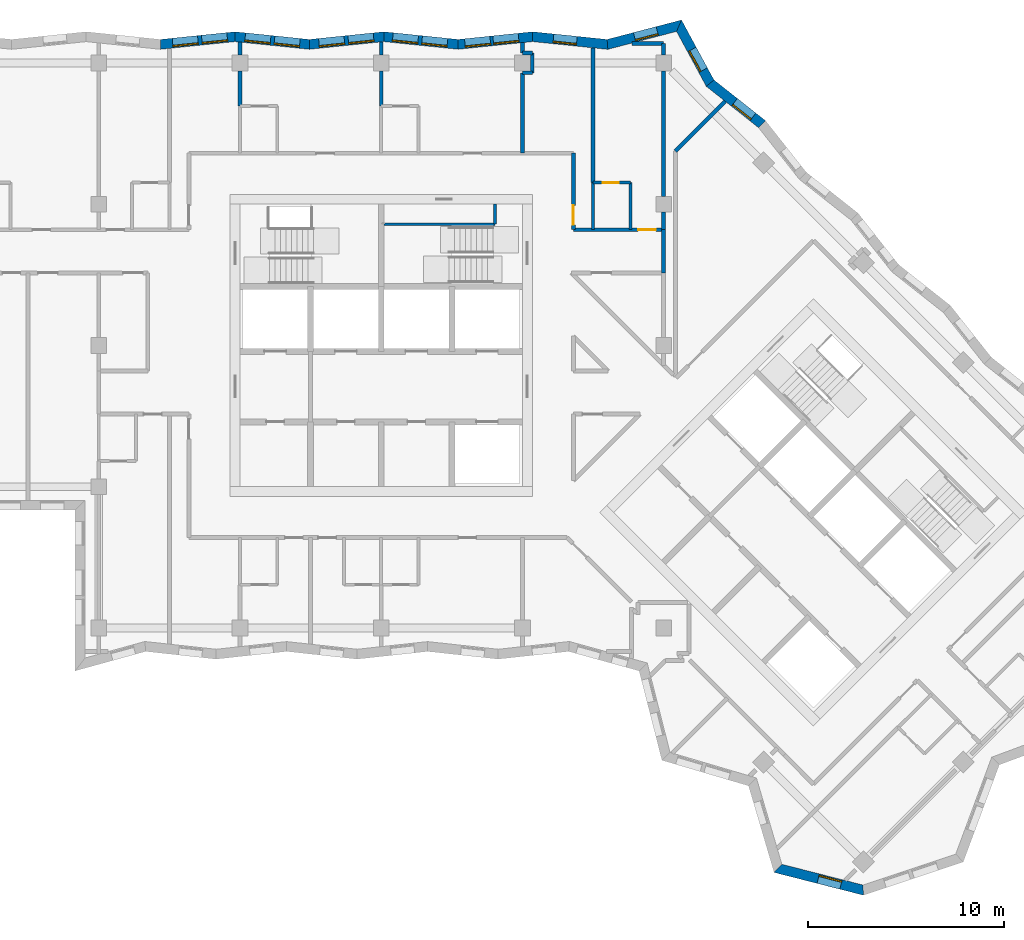
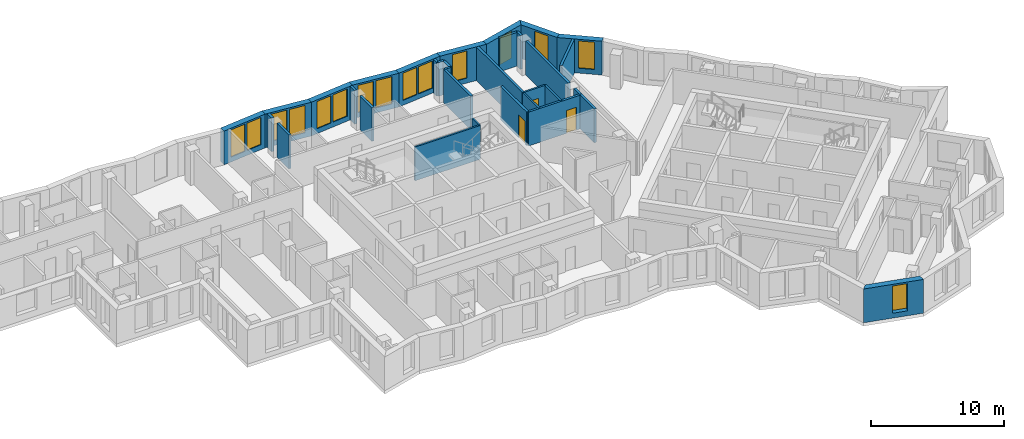
# One storey, part 7 of 12: 33 walls, 15 windows, 3 doors, 18 openings.
"""IFC4 building model written with IfcOpenShell, lengths in metres."""

from ifc_helpers import new_model, si_unit, direction, frame, frame_2d, origin, place, context, subcontext, project, spatial, polyline, rectangle, outline, extrude, material, layer, layer_set, type_object, element, fill, save


model = new_model("IFC4")

# Units and contexts
model_context = context("Model", 3, precision=1e-05, world=origin(), true_north=direction((0.0, 1.0)))
body_context = subcontext(model_context, "Body", "Model", "MODEL_VIEW")
ifc_project = project(units=[si_unit("LENGTHUNIT", "METRE"), si_unit("AREAUNIT", "SQUARE_METRE"), si_unit("VOLUMEUNIT", "CUBIC_METRE"), si_unit("PLANEANGLEUNIT", "RADIAN"), si_unit("MASSUNIT", "GRAM", prefix="KILO")], contexts=[model_context])

# Site, building, storey
site_placement = place(None, origin())
site = spatial("IfcSite", under=ifc_project, at=site_placement, CompositionType="ELEMENT")
building_placement = place(site_placement, origin())
building = spatial("IfcBuilding", under=site, at=building_placement, Name="Windrow Commons", CompositionType="ELEMENT")
storey_placement = place(building_placement, frame((0.0, 0.0, 199.8)))
storey = spatial("IfcBuildingStorey", under=building, at=storey_placement, Name="L54", CompositionType="ELEMENT", Elevation=199.8)

# Wall, opening, window
ifc_material_1 = material(Name="Brick masonry, red clay brick", Category="masonry")
ifc_layer_1 = layer(ifc_material_1, 0.5)
ifc_layer_set_1 = layer_set([ifc_layer_1], Name="Brick facade wall 500")
wall_type_1 = type_object("IfcWallType", Name="Brick facade wall 500", PredefinedType="SOLIDWALL", material=ifc_layer_set_1)
wall_1_placement = place(storey_placement, frame((84.2157, 68.8784, 0.0), z_axis=(0.0, 0.0, 1.0), x_axis=(-0.7847265348, 0.6198421296, 0.0)))
wall_1 = element("IfcWall", 1, at=wall_1_placement, inside=storey, type_object=wall_type_1, Name="Brick facade wall L54 15", PredefinedType="SOLIDWALL", context=body_context, shape_type="SweptSolid", body=[
    extrude(outline(polyline([(-0.0293, -0.25), (3.3243, -0.25), (3.4272, 0.25), (0.0293, 0.25), (-0.0293, -0.25)])), origin(), (0.0, 0.0, 1.0), 3.1),
])
opening_1_placement = place(wall_1_placement, frame((0.5991, 0.0, 0.45)))
opening_1 = element("IfcOpeningElement", 2, at=opening_1_placement, cuts=wall_1, Name="Opening W7E", PredefinedType="OPENING", context=body_context, shape_type="SweptSolid", body=[
    extrude(rectangle(XDim=1.2, YDim=2.5, at=frame_2d((0.6, 1.25))), frame((0.0, 0.26, 0.0), z_axis=(0.0, -1.0, 0.0), x_axis=(1.0, 0.0, 0.0)), (0.0, 0.0, 1.0), 0.52),
])
ifc_material_2 = material(Name="Clear float glass in anodised aluminium frame", Category="aluminium")
window_type_1 = type_object("IfcWindowType", Name="Window W7 notch 1200x2500", PartitioningType="SINGLE_PANEL", PredefinedType="WINDOW", material=ifc_material_2)
window_1_placement = place(opening_1_placement, origin())
window_1 = element("IfcWindow", 3, at=window_1_placement, inside=storey, type_object=window_type_1, Name="Window L54 15.1", OverallHeight=2.5, OverallWidth=1.2, PartitioningType="SINGLE_PANEL", PredefinedType="WINDOW", context=body_context, shape_type="SweptSolid", body=[
    extrude(rectangle(XDim=1.2, YDim=2.5, at=frame_2d((0.6, 1.25))), frame((0.0, 0.18, 0.0), z_axis=(0.0, -1.0, 0.0), x_axis=(1.0, 0.0, 0.0)), (0.0, 0.0, 1.0), 0.06),
])
fill(opening_1, window_1)

wall_2_placement = place(storey_placement, frame((81.5667, 70.9708, 0.0), z_axis=(0.0, 0.0, 1.0), x_axis=(-0.476089682, 0.8793967334, 0.0)))
wall_2 = element("IfcWall", 4, at=wall_2_placement, inside=storey, type_object=wall_type_1, Name="Brick facade wall L54 16", PredefinedType="SOLIDWALL", context=body_context, shape_type="SweptSolid", body=[
    extrude(outline(polyline([(0.0515, -0.25), (3.5265, -0.25), (3.1344, 0.25), (-0.0515, 0.25), (0.0515, -0.25)])), origin(), (0.0, 0.0, 1.0), 3.1),
])
opening_2_placement = place(wall_2_placement, frame((0.7527, 0.0, 0.45)))
opening_2 = element("IfcOpeningElement", 5, at=opening_2_placement, cuts=wall_2, Name="Opening W7E", PredefinedType="OPENING", context=body_context, shape_type="SweptSolid", body=[
    extrude(rectangle(XDim=1.2, YDim=2.5, at=frame_2d((0.6, 1.25))), frame((0.0, 0.26, 0.0), z_axis=(0.0, -1.0, 0.0), x_axis=(1.0, 0.0, 0.0)), (0.0, 0.0, 1.0), 0.52),
])
window_2_placement = place(opening_2_placement, origin())
window_2 = element("IfcWindow", 6, at=window_2_placement, inside=storey, type_object=window_type_1, Name="Window L54 16.1", OverallHeight=2.5, OverallWidth=1.2, PartitioningType="SINGLE_PANEL", PredefinedType="WINDOW", context=body_context, shape_type="SweptSolid", body=[
    extrude(rectangle(XDim=1.2, YDim=2.5, at=frame_2d((0.6, 1.25))), frame((0.0, 0.18, 0.0), z_axis=(0.0, -1.0, 0.0), x_axis=(1.0, 0.0, 0.0)), (0.0, 0.0, 1.0), 0.06),
])
fill(opening_2, window_2)

wall_3_placement = place(storey_placement, frame((79.9811, 73.8996, 0.0), z_axis=(0.0, 0.0, 1.0), x_axis=(-0.9675329998, -0.2527447216, 0.0)))
wall_3 = element("IfcWall", 7, at=wall_3_placement, inside=storey, type_object=wall_type_1, Name="Brick facade wall L54 17", PredefinedType="SOLIDWALL", context=body_context, shape_type="SweptSolid", body=[
    extrude(outline(polyline([(-0.1961, -0.25), (3.7249, -0.25), (3.8154, 0.25), (0.1961, 0.25), (-0.1961, -0.25)])), origin(), (0.0, 0.0, 1.0), 3.1),
])
opening_3_placement = place(wall_3_placement, frame((1.1387, 0.0, 0.45)))
opening_3 = element("IfcOpeningElement", 8, at=opening_3_placement, cuts=wall_3, Name="Opening W7E", PredefinedType="OPENING", context=body_context, shape_type="SweptSolid", body=[
    extrude(rectangle(XDim=1.2, YDim=2.5, at=frame_2d((0.6, 1.25))), frame((0.0, 0.26, 0.0), z_axis=(0.0, -1.0, 0.0), x_axis=(1.0, 0.0, 0.0)), (0.0, 0.0, 1.0), 0.52),
])
window_3_placement = place(opening_3_placement, origin())
window_3 = element("IfcWindow", 9, at=window_3_placement, inside=storey, type_object=window_type_1, Name="Window L54 17.1", OverallHeight=2.5, OverallWidth=1.2, PartitioningType="SINGLE_PANEL", PredefinedType="WINDOW", context=body_context, shape_type="SweptSolid", body=[
    extrude(rectangle(XDim=1.2, YDim=2.5, at=frame_2d((0.6, 1.25))), frame((0.0, 0.18, 0.0), z_axis=(0.0, -1.0, 0.0), x_axis=(1.0, 0.0, 0.0)), (0.0, 0.0, 1.0), 0.06),
])
fill(opening_3, window_3)

wall_4_placement = place(storey_placement, frame((76.3333, 72.9467, 0.0), z_axis=(0.0, 0.0, 1.0), x_axis=(-0.994730395, 0.10252532, 0.0)))
wall_4 = element("IfcWall", 10, at=wall_4_placement, inside=storey, type_object=wall_type_1, Name="Brick facade wall L54 18", PredefinedType="SOLIDWALL", context=body_context, shape_type="SweptSolid", body=[
    extrude(outline(polyline([(0.0453, -0.25), (3.859, -0.25), (3.8075, 0.25), (-0.0453, 0.25), (0.0453, -0.25)])), origin(), (0.0, 0.0, 1.0), 3.1),
])
opening_4_placement = place(wall_4_placement, frame((1.5723, 0.0, 0.45)))
opening_4 = element("IfcOpeningElement", 11, at=opening_4_placement, cuts=wall_4, Name="Opening W7E", PredefinedType="OPENING", context=body_context, shape_type="SweptSolid", body=[
    extrude(rectangle(XDim=1.2, YDim=2.5, at=frame_2d((0.6, 1.25))), frame((0.0, 0.26, 0.0), z_axis=(0.0, -1.0, 0.0), x_axis=(1.0, 0.0, 0.0)), (0.0, 0.0, 1.0), 0.52),
])
window_4_placement = place(opening_4_placement, origin())
window_4 = element("IfcWindow", 12, at=window_4_placement, inside=storey, type_object=window_type_1, Name="Window L54 18.1", OverallHeight=2.5, OverallWidth=1.2, PartitioningType="SINGLE_PANEL", PredefinedType="WINDOW", context=body_context, shape_type="SweptSolid", body=[
    extrude(rectangle(XDim=1.2, YDim=2.5, at=frame_2d((0.6, 1.25))), frame((0.0, 0.18, 0.0), z_axis=(0.0, -1.0, 0.0), x_axis=(1.0, 0.0, 0.0)), (0.0, 0.0, 1.0), 0.06),
])
fill(opening_4, window_4)

# Wall, openings, windows
wall_5_placement = place(storey_placement, frame((72.5203, 73.3397, 0.0), z_axis=(0.0, 0.0, 1.0), x_axis=(-0.9947306832, -0.1025225234, 0.0)))
wall_5 = element("IfcWall", 13, at=wall_5_placement, inside=storey, type_object=wall_type_1, Name="Brick facade wall L54 19", PredefinedType="SOLIDWALL", context=body_context, shape_type="SweptSolid", body=[
    extrude(outline(polyline([(-0.0258, -0.25), (3.788, -0.25), (3.8395, 0.25), (0.0258, 0.25), (-0.0258, -0.25)])), origin(), (0.0, 0.0, 1.0), 3.1),
])
opening_5_placement = place(wall_5_placement, frame((0.7184, 0.0, 0.45)))
opening_5 = element("IfcOpeningElement", 14, at=opening_5_placement, cuts=wall_5, Name="Opening W1Q", PredefinedType="OPENING", context=body_context, shape_type="SweptSolid", body=[
    extrude(rectangle(XDim=1.3, YDim=2.5, at=frame_2d((0.65, 1.25))), frame((0.0, 0.26, 0.0), z_axis=(0.0, -1.0, 0.0), x_axis=(1.0, 0.0, 0.0)), (0.0, 0.0, 1.0), 0.52),
])
opening_6_placement = place(wall_5_placement, frame((2.1684, 0.0, 0.45)))
opening_6 = element("IfcOpeningElement", 15, at=opening_6_placement, cuts=wall_5, Name="Opening W1Q", PredefinedType="OPENING", context=body_context, shape_type="SweptSolid", body=[
    extrude(rectangle(XDim=1.3, YDim=2.5, at=frame_2d((0.65, 1.25))), frame((0.0, 0.26, 0.0), z_axis=(0.0, -1.0, 0.0), x_axis=(1.0, 0.0, 0.0)), (0.0, 0.0, 1.0), 0.52),
])
ifc_material_3 = material(Name="Clear float glass in anodised aluminium frame", Category="aluminium")
window_type_2 = type_object("IfcWindowType", Name="Window W1Q pair 1300x2500", PartitioningType="SINGLE_PANEL", PredefinedType="WINDOW", material=ifc_material_3)
window_5_placement = place(opening_5_placement, origin())
window_5 = element("IfcWindow", 16, at=window_5_placement, inside=storey, type_object=window_type_2, Name="Window L54 19.1A", OverallHeight=2.5, OverallWidth=1.3, PartitioningType="SINGLE_PANEL", PredefinedType="WINDOW", context=body_context, shape_type="SweptSolid", body=[
    extrude(rectangle(XDim=1.3, YDim=2.5, at=frame_2d((0.65, 1.25))), frame((0.0, 0.18, 0.0), z_axis=(0.0, -1.0, 0.0), x_axis=(1.0, 0.0, 0.0)), (0.0, 0.0, 1.0), 0.06),
])
fill(opening_5, window_5)
window_6_placement = place(opening_6_placement, origin())
window_6 = element("IfcWindow", 17, at=window_6_placement, inside=storey, type_object=window_type_2, Name="Window L54 19.1B", OverallHeight=2.5, OverallWidth=1.3, PartitioningType="SINGLE_PANEL", PredefinedType="WINDOW", context=body_context, shape_type="SweptSolid", body=[
    extrude(rectangle(XDim=1.3, YDim=2.5, at=frame_2d((0.65, 1.25))), frame((0.0, 0.18, 0.0), z_axis=(0.0, -1.0, 0.0), x_axis=(1.0, 0.0, 0.0)), (0.0, 0.0, 1.0), 0.06),
])
fill(opening_6, window_6)

wall_6_placement = place(storey_placement, frame((68.7266, 72.9487, 0.0), z_axis=(0.0, 0.0, 1.0), x_axis=(-0.9947306832, 0.1025225234, 0.0)))
wall_6 = element("IfcWall", 18, at=wall_6_placement, inside=storey, type_object=wall_type_1, Name="Brick facade wall L54 20", PredefinedType="SOLIDWALL", context=body_context, shape_type="SweptSolid", body=[
    extrude(outline(polyline([(0.0258, -0.25), (3.8395, -0.25), (3.788, 0.25), (-0.0258, 0.25), (0.0258, -0.25)])), origin(), (0.0, 0.0, 1.0), 3.1),
])
opening_7_placement = place(wall_6_placement, frame((0.5582, 0.0, 0.45)))
opening_7 = element("IfcOpeningElement", 19, at=opening_7_placement, cuts=wall_6, Name="Opening W1Q", PredefinedType="OPENING", context=body_context, shape_type="SweptSolid", body=[
    extrude(rectangle(XDim=1.3, YDim=2.5, at=frame_2d((0.65, 1.25))), frame((0.0, 0.26, 0.0), z_axis=(0.0, -1.0, 0.0), x_axis=(1.0, 0.0, 0.0)), (0.0, 0.0, 1.0), 0.52),
])
opening_8_placement = place(wall_6_placement, frame((2.0582, 0.0, 0.45)))
opening_8 = element("IfcOpeningElement", 20, at=opening_8_placement, cuts=wall_6, Name="Opening W1Q", PredefinedType="OPENING", context=body_context, shape_type="SweptSolid", body=[
    extrude(rectangle(XDim=1.3, YDim=2.5, at=frame_2d((0.65, 1.25))), frame((0.0, 0.26, 0.0), z_axis=(0.0, -1.0, 0.0), x_axis=(1.0, 0.0, 0.0)), (0.0, 0.0, 1.0), 0.52),
])
window_7_placement = place(opening_7_placement, origin())
window_7 = element("IfcWindow", 21, at=window_7_placement, inside=storey, type_object=window_type_2, Name="Window L54 20.1A", OverallHeight=2.5, OverallWidth=1.3, PartitioningType="SINGLE_PANEL", PredefinedType="WINDOW", context=body_context, shape_type="SweptSolid", body=[
    extrude(rectangle(XDim=1.3, YDim=2.5, at=frame_2d((0.65, 1.25))), frame((0.0, 0.18, 0.0), z_axis=(0.0, -1.0, 0.0), x_axis=(1.0, 0.0, 0.0)), (0.0, 0.0, 1.0), 0.06),
])
fill(opening_7, window_7)
window_8_placement = place(opening_8_placement, origin())
window_8 = element("IfcWindow", 22, at=window_8_placement, inside=storey, type_object=window_type_2, Name="Window L54 20.1B", OverallHeight=2.5, OverallWidth=1.3, PartitioningType="SINGLE_PANEL", PredefinedType="WINDOW", context=body_context, shape_type="SweptSolid", body=[
    extrude(rectangle(XDim=1.3, YDim=2.5, at=frame_2d((0.65, 1.25))), frame((0.0, 0.18, 0.0), z_axis=(0.0, -1.0, 0.0), x_axis=(1.0, 0.0, 0.0)), (0.0, 0.0, 1.0), 0.06),
])
fill(opening_8, window_8)

wall_7_placement = place(storey_placement, frame((64.9329, 73.3397, 0.0), z_axis=(0.0, 0.0, 1.0), x_axis=(-0.9947304076, -0.1025251975, 0.0)))
wall_7 = element("IfcWall", 23, at=wall_7_placement, inside=storey, type_object=wall_type_1, Name="Brick facade wall L54 21", PredefinedType="SOLIDWALL", context=body_context, shape_type="SweptSolid", body=[
    extrude(outline(polyline([(-0.0258, -0.25), (3.788, -0.25), (3.8395, 0.25), (0.0258, 0.25), (-0.0258, -0.25)])), origin(), (0.0, 0.0, 1.0), 3.1),
])
opening_9_placement = place(wall_7_placement, frame((0.5198, 0.0, 0.45)))
opening_9 = element("IfcOpeningElement", 24, at=opening_9_placement, cuts=wall_7, Name="Opening W1Q", PredefinedType="OPENING", context=body_context, shape_type="SweptSolid", body=[
    extrude(rectangle(XDim=1.3, YDim=2.5, at=frame_2d((0.65, 1.25))), frame((0.0, 0.26, 0.0), z_axis=(0.0, -1.0, 0.0), x_axis=(1.0, 0.0, 0.0)), (0.0, 0.0, 1.0), 0.52),
])
opening_10_placement = place(wall_7_placement, frame((2.0198, 0.0, 0.45)))
opening_10 = element("IfcOpeningElement", 25, at=opening_10_placement, cuts=wall_7, Name="Opening W1Q", PredefinedType="OPENING", context=body_context, shape_type="SweptSolid", body=[
    extrude(rectangle(XDim=1.3, YDim=2.5, at=frame_2d((0.65, 1.25))), frame((0.0, 0.26, 0.0), z_axis=(0.0, -1.0, 0.0), x_axis=(1.0, 0.0, 0.0)), (0.0, 0.0, 1.0), 0.52),
])
window_9_placement = place(opening_9_placement, origin())
window_9 = element("IfcWindow", 26, at=window_9_placement, inside=storey, type_object=window_type_2, Name="Window L54 21.1A", OverallHeight=2.5, OverallWidth=1.3, PartitioningType="SINGLE_PANEL", PredefinedType="WINDOW", context=body_context, shape_type="SweptSolid", body=[
    extrude(rectangle(XDim=1.3, YDim=2.5, at=frame_2d((0.65, 1.25))), frame((0.0, 0.18, 0.0), z_axis=(0.0, -1.0, 0.0), x_axis=(1.0, 0.0, 0.0)), (0.0, 0.0, 1.0), 0.06),
])
fill(opening_9, window_9)
window_10_placement = place(opening_10_placement, origin())
window_10 = element("IfcWindow", 27, at=window_10_placement, inside=storey, type_object=window_type_2, Name="Window L54 21.1B", OverallHeight=2.5, OverallWidth=1.3, PartitioningType="SINGLE_PANEL", PredefinedType="WINDOW", context=body_context, shape_type="SweptSolid", body=[
    extrude(rectangle(XDim=1.3, YDim=2.5, at=frame_2d((0.65, 1.25))), frame((0.0, 0.18, 0.0), z_axis=(0.0, -1.0, 0.0), x_axis=(1.0, 0.0, 0.0)), (0.0, 0.0, 1.0), 0.06),
])
fill(opening_10, window_10)

wall_8_placement = place(storey_placement, frame((61.1393, 72.9487, 0.0), z_axis=(0.0, 0.0, 1.0), x_axis=(-0.9947306832, 0.1025225234, 0.0)))
wall_8 = element("IfcWall", 28, at=wall_8_placement, inside=storey, type_object=wall_type_1, Name="Brick facade wall L54 22", PredefinedType="SOLIDWALL", context=body_context, shape_type="SweptSolid", body=[
    extrude(outline(polyline([(0.0258, -0.25), (3.8395, -0.25), (3.788, 0.25), (-0.0258, 0.25), (0.0258, -0.25)])), origin(), (0.0, 0.0, 1.0), 3.1),
])
opening_11_placement = place(wall_8_placement, frame((0.494, 0.0, 0.45)))
opening_11 = element("IfcOpeningElement", 29, at=opening_11_placement, cuts=wall_8, Name="Opening W1Q", PredefinedType="OPENING", context=body_context, shape_type="SweptSolid", body=[
    extrude(rectangle(XDim=1.3, YDim=2.5, at=frame_2d((0.65, 1.25))), frame((0.0, 0.26, 0.0), z_axis=(0.0, -1.0, 0.0), x_axis=(1.0, 0.0, 0.0)), (0.0, 0.0, 1.0), 0.52),
])
opening_12_placement = place(wall_8_placement, frame((1.994, 0.0, 0.45)))
opening_12 = element("IfcOpeningElement", 30, at=opening_12_placement, cuts=wall_8, Name="Opening W1Q", PredefinedType="OPENING", context=body_context, shape_type="SweptSolid", body=[
    extrude(rectangle(XDim=1.3, YDim=2.5, at=frame_2d((0.65, 1.25))), frame((0.0, 0.26, 0.0), z_axis=(0.0, -1.0, 0.0), x_axis=(1.0, 0.0, 0.0)), (0.0, 0.0, 1.0), 0.52),
])
window_11_placement = place(opening_11_placement, origin())
window_11 = element("IfcWindow", 31, at=window_11_placement, inside=storey, type_object=window_type_2, Name="Window L54 22.1A", OverallHeight=2.5, OverallWidth=1.3, PartitioningType="SINGLE_PANEL", PredefinedType="WINDOW", context=body_context, shape_type="SweptSolid", body=[
    extrude(rectangle(XDim=1.3, YDim=2.5, at=frame_2d((0.65, 1.25))), frame((0.0, 0.18, 0.0), z_axis=(0.0, -1.0, 0.0), x_axis=(1.0, 0.0, 0.0)), (0.0, 0.0, 1.0), 0.06),
])
fill(opening_11, window_11)
window_12_placement = place(opening_12_placement, origin())
window_12 = element("IfcWindow", 32, at=window_12_placement, inside=storey, type_object=window_type_2, Name="Window L54 22.1B", OverallHeight=2.5, OverallWidth=1.3, PartitioningType="SINGLE_PANEL", PredefinedType="WINDOW", context=body_context, shape_type="SweptSolid", body=[
    extrude(rectangle(XDim=1.3, YDim=2.5, at=frame_2d((0.65, 1.25))), frame((0.0, 0.18, 0.0), z_axis=(0.0, -1.0, 0.0), x_axis=(1.0, 0.0, 0.0)), (0.0, 0.0, 1.0), 0.06),
])
fill(opening_12, window_12)

wall_9_placement = place(storey_placement, frame((57.3456, 73.3397, 0.0), z_axis=(0.0, 0.0, 1.0), x_axis=(-0.9947304076, -0.1025251975, 0.0)))
wall_9 = element("IfcWall", 33, at=wall_9_placement, inside=storey, type_object=wall_type_1, Name="Brick facade wall L54 23", PredefinedType="SOLIDWALL", context=body_context, shape_type="SweptSolid", body=[
    extrude(outline(polyline([(-0.0258, -0.25), (3.788, -0.25), (3.8395, 0.25), (0.0258, 0.25), (-0.0258, -0.25)])), origin(), (0.0, 0.0, 1.0), 3.1),
])
opening_13_placement = place(wall_9_placement, frame((0.3946, 0.0, 0.45)))
opening_13 = element("IfcOpeningElement", 34, at=opening_13_placement, cuts=wall_9, Name="Opening W1Q", PredefinedType="OPENING", context=body_context, shape_type="SweptSolid", body=[
    extrude(rectangle(XDim=1.3, YDim=2.5, at=frame_2d((0.65, 1.25))), frame((0.0, 0.26, 0.0), z_axis=(0.0, -1.0, 0.0), x_axis=(1.0, 0.0, 0.0)), (0.0, 0.0, 1.0), 0.52),
])
opening_14_placement = place(wall_9_placement, frame((1.8946, 0.0, 0.45)))
opening_14 = element("IfcOpeningElement", 35, at=opening_14_placement, cuts=wall_9, Name="Opening W1Q", PredefinedType="OPENING", context=body_context, shape_type="SweptSolid", body=[
    extrude(rectangle(XDim=1.3, YDim=2.5, at=frame_2d((0.65, 1.25))), frame((0.0, 0.26, 0.0), z_axis=(0.0, -1.0, 0.0), x_axis=(1.0, 0.0, 0.0)), (0.0, 0.0, 1.0), 0.52),
])
window_13_placement = place(opening_13_placement, origin())
window_13 = element("IfcWindow", 36, at=window_13_placement, inside=storey, type_object=window_type_2, Name="Window L54 23.1A", OverallHeight=2.5, OverallWidth=1.3, PartitioningType="SINGLE_PANEL", PredefinedType="WINDOW", context=body_context, shape_type="SweptSolid", body=[
    extrude(rectangle(XDim=1.3, YDim=2.5, at=frame_2d((0.65, 1.25))), frame((0.0, 0.18, 0.0), z_axis=(0.0, -1.0, 0.0), x_axis=(1.0, 0.0, 0.0)), (0.0, 0.0, 1.0), 0.06),
])
fill(opening_13, window_13)
window_14_placement = place(opening_14_placement, origin())
window_14 = element("IfcWindow", 37, at=window_14_placement, inside=storey, type_object=window_type_2, Name="Window L54 23.1B", OverallHeight=2.5, OverallWidth=1.3, PartitioningType="SINGLE_PANEL", PredefinedType="WINDOW", context=body_context, shape_type="SweptSolid", body=[
    extrude(rectangle(XDim=1.3, YDim=2.5, at=frame_2d((0.65, 1.25))), frame((0.0, 0.18, 0.0), z_axis=(0.0, -1.0, 0.0), x_axis=(1.0, 0.0, 0.0)), (0.0, 0.0, 1.0), 0.06),
])
fill(opening_14, window_14)

# Wall, opening, window
wall_10_placement = place(storey_placement, frame((85.0259, 30.9425, 0.0), z_axis=(0.0, 0.0, 1.0), x_axis=(0.9689909926, -0.2470960468, 0.0)))
wall_10 = element("IfcWall", 38, at=wall_10_placement, inside=storey, type_object=wall_type_1, Name="Brick facade wall L54 51", PredefinedType="SOLIDWALL", context=body_context, shape_type="SweptSolid", body=[
    extrude(outline(polyline([(-0.1422, -0.25), (4.5596, -0.25), (4.4127, 0.25), (0.1422, 0.25), (-0.1422, -0.25)])), origin(), (0.0, 0.0, 1.0), 3.1),
])
opening_15_placement = place(wall_10_placement, frame((2.1154, 0.0, 0.45)))
opening_15 = element("IfcOpeningElement", 39, at=opening_15_placement, cuts=wall_10, Name="Opening W7E", PredefinedType="OPENING", context=body_context, shape_type="SweptSolid", body=[
    extrude(rectangle(XDim=1.2, YDim=2.5, at=frame_2d((0.6, 1.25))), frame((0.0, 0.26, 0.0), z_axis=(0.0, -1.0, 0.0), x_axis=(1.0, 0.0, 0.0)), (0.0, 0.0, 1.0), 0.52),
])
window_15_placement = place(opening_15_placement, origin())
window_15 = element("IfcWindow", 40, at=window_15_placement, inside=storey, type_object=window_type_1, Name="Window L54 51.1", OverallHeight=2.5, OverallWidth=1.2, PartitioningType="SINGLE_PANEL", PredefinedType="WINDOW", context=body_context, shape_type="SweptSolid", body=[
    extrude(rectangle(XDim=1.2, YDim=2.5, at=frame_2d((0.6, 1.25))), frame((0.0, 0.18, 0.0), z_axis=(0.0, -1.0, 0.0), x_axis=(1.0, 0.0, 0.0)), (0.0, 0.0, 1.0), 0.06),
])
fill(opening_15, window_15)

# Wall, opening, door
ifc_material_4 = material(Name="Blockwork partition", Category="masonry")
ifc_layer_2 = layer(ifc_material_4, 0.2)
ifc_layer_set_2 = layer_set([ifc_layer_2], Name="IW-CORRIDOR-200")
wall_type_2 = type_object("IfcWallType", Name="IW-CORRIDOR-200", PredefinedType="PARTITIONING", material=ifc_layer_set_2)
wall_11_placement = place(storey_placement, frame((74.602, 63.5, 0.0), z_axis=(0.0, 0.0, 1.0), x_axis=(1.0, 0.0, 0.0)))
wall_11 = element("IfcWall", 41, at=wall_11_placement, inside=storey, type_object=wall_type_2, Name="W-L54-W036", PredefinedType="PARTITIONING", context=body_context, shape_type="SweptSolid", body=[
    extrude(rectangle(XDim=4.598, YDim=0.2, at=frame_2d((2.299, 0.0))), origin(), (0.0, 0.0, 1.0), 3.1),
])
opening_16_placement = place(wall_11_placement, frame((3.298, 0.0, 0.0)))
opening_16 = element("IfcOpeningElement", 42, at=opening_16_placement, cuts=wall_11, Name="Opening D109S", PredefinedType="OPENING", context=body_context, shape_type="SweptSolid", body=[
    extrude(rectangle(XDim=0.9, YDim=2.1, at=frame_2d((0.45, 1.05))), frame((0.0, 0.11, 0.0), z_axis=(0.0, -1.0, 0.0), x_axis=(1.0, 0.0, 0.0)), (0.0, 0.0, 1.0), 0.22),
])
ifc_material_5 = material(Name="Timber door leaf", Category="wood")
door_type_1 = type_object("IfcDoorType", Name="DT-BEDROOM-900", OperationType="SINGLE_SWING_LEFT", PredefinedType="DOOR", material=ifc_material_5)
door_1_placement = place(opening_16_placement, origin())
door_1 = element("IfcDoor", 43, at=door_1_placement, inside=storey, type_object=door_type_1, Name="D-L54-D021", OperationType="SINGLE_SWING_LEFT", OverallHeight=2.1, OverallWidth=0.9, PredefinedType="DOOR", context=body_context, shape_type="SweptSolid", body=[
    extrude(rectangle(XDim=0.9, YDim=2.1, at=frame_2d((0.45, 1.05))), frame((0.0, 0.025, 0.0), z_axis=(0.0, -1.0, 0.0), x_axis=(1.0, 0.0, 0.0)), (0.0, 0.0, 1.0), 0.05),
])
fill(opening_16, door_1)

wall_12_placement = place(storey_placement, frame((74.6, 63.502, 0.0), z_axis=(0.0, 0.0, 1.0), x_axis=(0.0, 1.0, 0.0)))
wall_12 = element("IfcWall", 44, at=wall_12_placement, inside=storey, type_object=wall_type_2, Name="W-L54-W043", PredefinedType="PARTITIONING", context=body_context, shape_type="SweptSolid", body=[
    extrude(rectangle(XDim=3.898, YDim=0.2, at=frame_2d((1.949, 0.0))), origin(), (0.0, 0.0, 1.0), 3.1),
])
opening_17_placement = place(wall_12_placement, frame((0.2416, 0.0, 0.0)))
opening_17 = element("IfcOpeningElement", 45, at=opening_17_placement, cuts=wall_12, Name="Opening D310F", PredefinedType="OPENING", context=body_context, shape_type="SweptSolid", body=[
    extrude(rectangle(XDim=1.0, YDim=2.1, at=frame_2d((0.5, 1.05))), frame((0.0, 0.11, 0.0), z_axis=(0.0, -1.0, 0.0), x_axis=(1.0, 0.0, 0.0)), (0.0, 0.0, 1.0), 0.22),
])
ifc_material_6 = material(Name="Timber door leaf", Category="wood")
door_type_2 = type_object("IfcDoorType", Name="DT-AMENITY-1000", OperationType="SINGLE_SWING_LEFT", PredefinedType="DOOR", material=ifc_material_6)
door_2_placement = place(opening_17_placement, origin())
door_2 = element("IfcDoor", 46, at=door_2_placement, inside=storey, type_object=door_type_2, Name="D-L54-D020", OperationType="SINGLE_SWING_RIGHT", OverallHeight=2.1, OverallWidth=1.0, PredefinedType="DOOR", context=body_context, shape_type="SweptSolid", body=[
    extrude(rectangle(XDim=1.0, YDim=2.1, at=frame_2d((0.5, 1.05))), frame((0.0, 0.025, 0.0), z_axis=(0.0, -1.0, 0.0), x_axis=(1.0, 0.0, 0.0)), (0.0, 0.0, 1.0), 0.05),
])
fill(opening_17, door_2)

# Walls
wall_13_placement = place(storey_placement, frame((79.2, 61.3, 0.0), z_axis=(0.0, 0.0, 1.0), x_axis=(0.0, 1.0, 0.0)))
element("IfcWall", 47, at=wall_13_placement, inside=storey, type_object=wall_type_2, Name="W-L54-W094", PredefinedType="PARTITIONING", context=body_context, shape_type="SweptSolid", body=[
    extrude(rectangle(XDim=2.2, YDim=0.2, at=frame_2d((1.1, 0.0))), origin(), (0.0, 0.0, 1.0), 3.1),
])
ifc_material_7 = material(Name="Blockwork partition", Category="masonry")
ifc_layer_3 = layer(ifc_material_7, 0.15)
ifc_layer_set_3 = layer_set([ifc_layer_3], Name="IW-ENSUITE-150")
wall_type_3 = type_object("IfcWallType", Name="IW-ENSUITE-150", PredefinedType="PARTITIONING", material=ifc_layer_set_3)
for number, where, z_axis, x_axis, name in (
    (48, (75.6, 63.5, 0.0), (0.0, 0.0, 1.0), (0.0, 1.0, 0.0), "W-L54-W072"),
    (49, (77.5, 63.5, 0.0), (0.0, 0.0, 1.0), (0.0, 1.0, 0.0), "W-L54-W073"),
):
    element("IfcWall", number, at=place(storey_placement, frame(where, z_axis=z_axis, x_axis=x_axis)), inside=storey, type_object=wall_type_3, Name=name, PredefinedType="PARTITIONING", context=body_context, shape_type="SweptSolid", body=[
        extrude(rectangle(XDim=2.4, YDim=0.15, at=frame_2d((1.2, 0.0))), origin(), (0.0, 0.0, 1.0), 3.1),
    ])

# Wall, opening, door
wall_14_placement = place(storey_placement, frame((75.6, 65.9, 0.0), z_axis=(0.0, 0.0, 1.0), x_axis=(1.0, 0.0, 0.0)))
wall_14 = element("IfcWall", 50, at=wall_14_placement, inside=storey, type_object=wall_type_3, Name="W-L54-W104", PredefinedType="PARTITIONING", context=body_context, shape_type="SweptSolid", body=[
    extrude(rectangle(XDim=1.9, YDim=0.15, at=frame_2d((0.95, 0.0))), origin(), (0.0, 0.0, 1.0), 3.1),
])
opening_18_placement = place(wall_14_placement, frame((0.5021, 0.0, 0.0)))
opening_18 = element("IfcOpeningElement", 51, at=opening_18_placement, cuts=wall_14, Name="Opening D208N", PredefinedType="OPENING", context=body_context, shape_type="SweptSolid", body=[
    extrude(rectangle(XDim=0.8, YDim=2.1, at=frame_2d((0.4, 1.05))), frame((0.0, 0.085, 0.0), z_axis=(0.0, -1.0, 0.0), x_axis=(1.0, 0.0, 0.0)), (0.0, 0.0, 1.0), 0.17),
])
ifc_material_8 = material(Name="Timber door leaf", Category="wood")
door_type_3 = type_object("IfcDoorType", Name="DT-ENSUITE-800", OperationType="SINGLE_SWING_LEFT", PredefinedType="DOOR", material=ifc_material_8)
door_3_placement = place(opening_18_placement, origin())
door_3 = element("IfcDoor", 52, at=door_3_placement, inside=storey, type_object=door_type_3, Name="D-L54-D022", OperationType="SINGLE_SWING_RIGHT", OverallHeight=2.1, OverallWidth=0.8, PredefinedType="DOOR", context=body_context, shape_type="SweptSolid", body=[
    extrude(rectangle(XDim=0.8, YDim=2.1, at=frame_2d((0.4, 1.05))), frame((0.0, 0.025, 0.0), z_axis=(0.0, -1.0, 0.0), x_axis=(1.0, 0.0, 0.0)), (0.0, 0.0, 1.0), 0.05),
])
fill(opening_18, door_3)

# Walls
ifc_material_9 = material(Name="Blockwork partition", Category="masonry")
ifc_layer_4 = layer(ifc_material_9, 0.2)
ifc_layer_set_4 = layer_set([ifc_layer_4], Name="IW-PARTY-200")
wall_type_4 = type_object("IfcWallType", Name="IW-PARTY-200", PredefinedType="PARTITIONING", material=ifc_layer_set_4)
wall_15_placement = place(storey_placement, frame((75.6, 65.9, 0.0), z_axis=(0.0, 0.0, 1.0), x_axis=(0.0, 1.0, 0.0)))
element("IfcWall", 53, at=wall_15_placement, inside=storey, type_object=wall_type_4, Name="W-L54-W015", PredefinedType="PARTITIONING", context=body_context, shape_type="SweptSolid", body=[
    extrude(rectangle(XDim=6.8709, YDim=0.2, at=frame_2d((3.4354, 0.0))), origin(), (0.0, 0.0, 1.0), 3.1),
])
wall_16_placement = place(storey_placement, frame((79.2, 65.2, 0.0), z_axis=(0.0, 0.0, 1.0), x_axis=(0.0, 1.0, 0.0)))
element("IfcWall", 54, at=wall_16_placement, inside=storey, type_object=wall_type_4, Name="W-L54-W023", PredefinedType="PARTITIONING", context=body_context, shape_type="SweptSolid", body=[
    extrude(rectangle(XDim=6.4, YDim=0.2, at=frame_2d((3.2, 0.0))), origin(), (0.0, 0.0, 1.0), 3.1),
])
wall_17_placement = place(storey_placement, frame((72.0, 67.4, 0.0), z_axis=(0.0, 0.0, 1.0), x_axis=(0.0, 1.0, 0.0)))
element("IfcWall", 55, at=wall_17_placement, inside=storey, type_object=wall_type_4, Name="W-L54-W040", PredefinedType="PARTITIONING", context=body_context, shape_type="SweptSolid", body=[
    extrude(rectangle(XDim=4.096, YDim=0.2, at=frame_2d((2.048, 0.0))), origin(), (0.0, 0.0, 1.0), 3.1),
])
wall_18_placement = place(storey_placement, frame((79.7988, 67.5092, 0.0), z_axis=(0.0, 0.0, 1.0), x_axis=(0.7070928405, 0.7071207216, 0.0)))
element("IfcWall", 56, at=wall_18_placement, inside=storey, type_object=wall_type_4, Name="W-L54-W045", PredefinedType="PARTITIONING", context=body_context, shape_type="SweptSolid", body=[
    extrude(rectangle(XDim=3.5867, YDim=0.2, at=frame_2d((1.7933, 0.0))), origin(), (0.0, 0.0, 1.0), 3.1),
])
for number, where, z_axis, x_axis, name in (
    (57, (57.6, 69.8, 0.0), (0.0, 0.0, 1.0), (0.0, 1.0, 0.0), "W-L54-W118"),
    (58, (64.8, 69.8, 0.0), (0.0, 0.0, 1.0), (0.0, 1.0, 0.0), "W-L54-W120"),
):
    element("IfcWall", number, at=place(storey_placement, frame(where, z_axis=z_axis, x_axis=x_axis)), inside=storey, type_object=wall_type_4, Name=name, PredefinedType="PARTITIONING", context=body_context, shape_type="SweptSolid", body=[
        extrude(rectangle(XDim=1.8, YDim=0.2, at=frame_2d((0.9, 0.0))), origin(), (0.0, 0.0, 1.0), 3.1),
    ])
wall_19_placement = place(storey_placement, frame((77.5766, 73.0, 0.0), z_axis=(0.0, 0.0, 1.0), x_axis=(1.0, 0.0, 0.0)))
element("IfcWall", 59, at=wall_19_placement, inside=storey, type_object=wall_type_4, Name="W-L54-W124", PredefinedType="PARTITIONING", context=body_context, shape_type="SweptSolid", body=[
    extrude(rectangle(XDim=1.6234, YDim=0.2, at=frame_2d((0.8117, 0.0))), origin(), (0.0, 0.0, 1.0), 3.1),
])
wall_20_placement = place(storey_placement, frame((72.5, 71.496, 0.0), z_axis=(0.0, 0.0, 1.0), x_axis=(0.0, 1.0, 0.0)))
element("IfcWall", 60, at=wall_20_placement, inside=storey, type_object=wall_type_4, Name="W-L54-W130", PredefinedType="PARTITIONING", context=body_context, shape_type="SweptSolid", body=[
    extrude(rectangle(XDim=1.01, YDim=0.2, at=frame_2d((0.505, 0.0))), origin(), (0.0, 0.0, 1.0), 3.1),
])
wall_21_placement = place(storey_placement, frame((79.2, 63.5, 0.0), z_axis=(0.0, 0.0, 1.0), x_axis=(0.0, 1.0, 0.0)))
element("IfcWall", 61, at=wall_21_placement, inside=storey, type_object=wall_type_4, Name="W-L54-W136", PredefinedType="PARTITIONING", context=body_context, shape_type="SweptSolid", body=[
    extrude(rectangle(XDim=0.9, YDim=0.2, at=frame_2d((0.45, 0.0))), origin(), (0.0, 0.0, 1.0), 3.1),
])
wall_22_placement = place(storey_placement, frame((64.8, 72.4, 0.0), z_axis=(0.0, 0.0, 1.0), x_axis=(0.0, 1.0, 0.0)))
element("IfcWall", 62, at=wall_22_placement, inside=storey, type_object=wall_type_4, Name="W-L54-W148", PredefinedType="PARTITIONING", context=body_context, shape_type="SweptSolid", body=[
    extrude(rectangle(XDim=0.6746, YDim=0.2, at=frame_2d((0.3373, 0.0))), origin(), (0.0, 0.0, 1.0), 3.1),
])
wall_23_placement = place(storey_placement, frame((57.6, 72.4, 0.0), z_axis=(0.0, 0.0, 1.0), x_axis=(0.0, 1.0, 0.0)))
element("IfcWall", 63, at=wall_23_placement, inside=storey, type_object=wall_type_4, Name="W-L54-W152", PredefinedType="PARTITIONING", context=body_context, shape_type="SweptSolid", body=[
    extrude(rectangle(XDim=0.6621, YDim=0.2, at=frame_2d((0.3311, 0.0))), origin(), (0.0, 0.0, 1.0), 3.1),
])
wall_24_placement = place(storey_placement, frame((79.2, 72.4, 0.0), z_axis=(0.0, 0.0, 1.0), x_axis=(0.0, 1.0, 0.0)))
element("IfcWall", 64, at=wall_24_placement, inside=storey, type_object=wall_type_4, Name="W-L54-W153", PredefinedType="PARTITIONING", context=body_context, shape_type="SweptSolid", body=[
    extrude(rectangle(XDim=0.6, YDim=0.2, at=frame_2d((0.3, 0.0))), origin(), (0.0, 0.0, 1.0), 3.1),
])
for number, where, z_axis, x_axis, name in (
    (65, (72.0, 71.5, 0.0), (0.0, 0.0, 1.0), (1.0, 0.0, 0.0), "W-L54-W159"),
    (66, (72.0, 72.51, 0.0), (0.0, 0.0, 1.0), (1.0, 0.0, 0.0), "W-L54-W160"),
):
    element("IfcWall", number, at=place(storey_placement, frame(where, z_axis=z_axis, x_axis=x_axis)), inside=storey, type_object=wall_type_4, Name=name, PredefinedType="PARTITIONING", context=body_context, shape_type="SweptSolid", body=[
        extrude(rectangle(XDim=0.5, YDim=0.2, at=frame_2d((0.25, 0.0))), origin(), (0.0, 0.0, 1.0), 3.1),
    ])
wall_25_placement = place(storey_placement, frame((72.0, 72.506, 0.0), z_axis=(0.0, 0.0, 1.0), x_axis=(0.0, 1.0, 0.0)))
element("IfcWall", 67, at=wall_25_placement, inside=storey, type_object=wall_type_4, Name="W-L54-W163", PredefinedType="PARTITIONING", context=body_context, shape_type="SweptSolid", body=[
    extrude(rectangle(XDim=0.5287, YDim=0.2, at=frame_2d((0.2643, 0.0))), origin(), (0.0, 0.0, 1.0), 3.1),
])
ifc_material_10 = material(Name="Blockwork partition", Category="masonry")
ifc_layer_5 = layer(ifc_material_10, 0.15)
ifc_layer_set_5 = layer_set([ifc_layer_5], Name="Riser partition 150")
wall_type_5 = type_object("IfcWallType", Name="Riser partition 150", PredefinedType="PARTITIONING", material=ifc_layer_set_5)
wall_26_placement = place(storey_placement, frame((64.95, 63.78, 0.0), z_axis=(0.0, 0.0, 1.0), x_axis=(1.0, 0.0, 0.0)))
element("IfcWall", 68, at=wall_26_placement, inside=storey, type_object=wall_type_5, Name="W-core-strip-A-L54", PredefinedType="PARTITIONING", context=body_context, shape_type="SweptSolid", body=[
    extrude(rectangle(XDim=5.65, YDim=0.15, at=frame_2d((2.825, 0.0))), origin(), (0.0, 0.0, 1.0), 3.1),
])
wall_27_placement = place(storey_placement, frame((70.6, 63.78, 0.0), z_axis=(0.0, 0.0, 1.0), x_axis=(0.0, 1.0, 0.0)))
element("IfcWall", 69, at=wall_27_placement, inside=storey, type_object=wall_type_5, Name="W-core-stripx-A-L54-1", PredefinedType="PARTITIONING", context=body_context, shape_type="SweptSolid", body=[
    extrude(rectangle(XDim=1.02, YDim=0.15, at=frame_2d((0.51, 0.0))), origin(), (0.0, 0.0, 1.0), 3.1),
])

save(model, "model.ifc")
